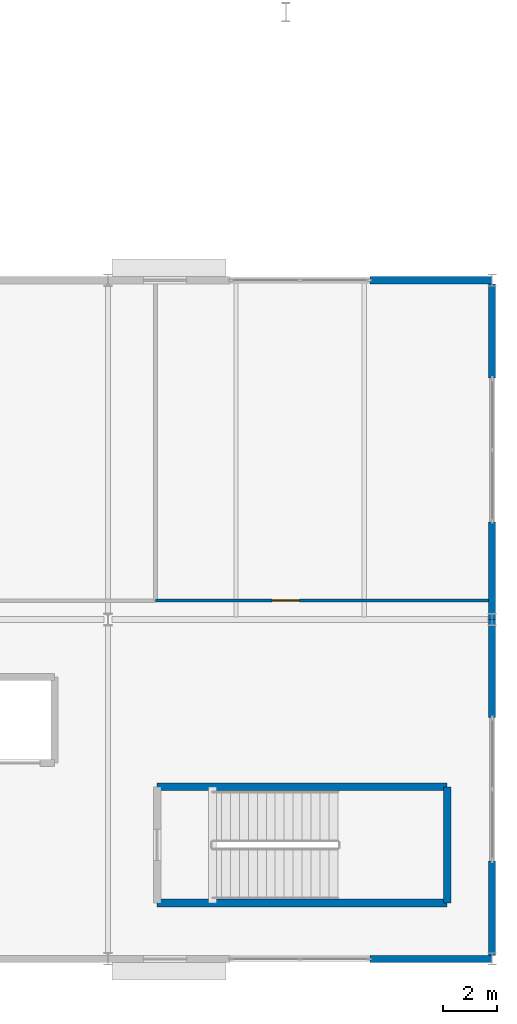
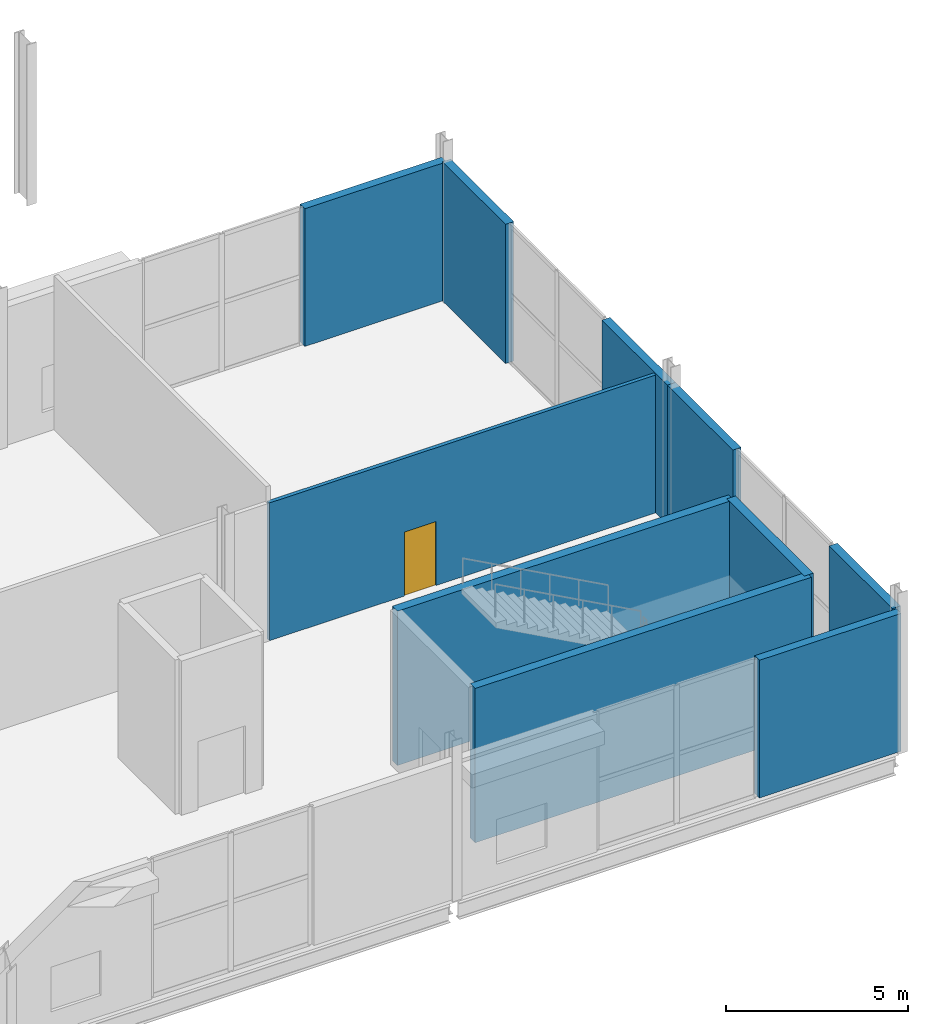
# One storey, part 67 of 84: 10 walls, 1 door, 1 opening.
"""IFC4 building model written with IfcOpenShell, lengths in metres."""

import ifcopenshell
import ifcopenshell.guid

model = None  # the IFC model being written
_history = None  # IfcOwnerHistory: only IFC2X3 demands one
_inside = {}  # id of a spatial element -> (the spatial element, [elements in it])
_under = {}  # id of a project, library or spatial element -> (it, [spatial elements below it])
_declared = {}  # id of a project -> (the project, [libraries it declares])
_typed = {}  # id of a type object -> (the type object, [elements of that type])
_made_of = {}  # id of a material, layer set ... -> (it, [elements and type objects made of it])


def new_model(schema):
    """Start an empty IFC model of exactly this schema.

    Asked for "IFC4X3", IfcOpenShell would pick the latest addendum, in which some entities
    have other attributes; the version numbers below select the first issue.
    IFC2X3 requires an IfcOwnerHistory on every rooted entity: one is made here for all.
    """
    global model, _history
    if schema == "IFC4X3":
        model = ifcopenshell.file(schema_version=(4, 3, 0, 0))
    else:
        model = ifcopenshell.file(schema=schema)
    _inside.clear()
    _under.clear()
    _declared.clear()
    _typed.clear()
    _made_of.clear()
    _history = None
    if model.schema == "IFC2X3":
        org = make("IfcOrganization", Name="unknown")
        user = make(
            "IfcPersonAndOrganization",
            ThePerson=make("IfcPerson", FamilyName="unknown"),
            TheOrganization=org,
        )
        app = make(
            "IfcApplication",
            ApplicationDeveloper=org,
            Version="unknown",
            ApplicationFullName="unknown",
            ApplicationIdentifier="unknown",
        )
        _history = make(
            "IfcOwnerHistory",
            OwningUser=user,
            OwningApplication=app,
            ChangeAction="ADDED",
            CreationDate=0,
        )
    return model


def make(cls, **values):
    """One entity of the class cls with the attributes given. An attribute that is None is left unset."""
    return model.create_entity(
        cls, **{name: value for name, value in values.items() if value is not None}
    )


def rooted(cls, **values):
    """An entity with a GlobalId (a new one), such as an element, a storey or a relation."""
    return make(cls, GlobalId=ifcopenshell.guid.new(), OwnerHistory=_history, **values)


def si_unit(unit_type, name, prefix=None):
    """IfcSIUnit, for example si_unit("LENGTHUNIT", "METRE", prefix="MILLI")."""
    return make("IfcSIUnit", UnitType=unit_type, Prefix=prefix, Name=name)


def assignment(units):
    """IfcUnitAssignment: the units of a project."""
    return None if units is None else make("IfcUnitAssignment", Units=units)


def point(xyz):
    """IfcCartesianPoint."""
    return None if xyz is None else make("IfcCartesianPoint", Coordinates=xyz)


def direction(xyz):
    """IfcDirection."""
    return None if xyz is None else make("IfcDirection", DirectionRatios=xyz)


def frame(location, z_axis=None, x_axis=None):
    """IfcAxis2Placement3D, a coordinate frame: its origin and axes. An axis left out is left unset."""
    return make(
        "IfcAxis2Placement3D",
        Location=point(location),
        Axis=direction(z_axis),
        RefDirection=direction(x_axis),
    )


def frame_2d(location, x_axis=None):
    """IfcAxis2Placement2D, a coordinate frame in the plane: its origin and x axis."""
    return make(
        "IfcAxis2Placement2D", Location=point(location), RefDirection=direction(x_axis)
    )


def origin():
    """The frame at (0, 0, 0) with its axes left unset."""
    return frame((0.0, 0.0, 0.0))


def place(relative_to, where):
    """IfcLocalPlacement: puts the frame where relative to a parent placement (None: the world)."""
    return make(
        "IfcLocalPlacement", PlacementRelTo=relative_to, RelativePlacement=where
    )


def context(
    kind, dimensions, precision=None, world=None, true_north=None, identifier=None
):
    """IfcGeometricRepresentationContext, for example the 3D "Model" context."""
    return make(
        "IfcGeometricRepresentationContext",
        ContextIdentifier=identifier,
        ContextType=kind,
        CoordinateSpaceDimension=dimensions,
        Precision=precision,
        WorldCoordinateSystem=world,
        TrueNorth=true_north,
    )


def subcontext(parent, identifier, kind, view, scale=None):
    """IfcGeometricRepresentationSubContext, for example "Body" below "Model"."""
    return make(
        "IfcGeometricRepresentationSubContext",
        ContextIdentifier=identifier,
        ContextType=kind,
        ParentContext=parent,
        TargetScale=scale,
        TargetView=view,
    )


def project(units=None, contexts=None):
    """IfcProject with its units and contexts."""
    return rooted(
        "IfcProject",
        Name="project",
        RepresentationContexts=contexts,
        UnitsInContext=assignment(units),
    )


def spatial(cls, under=None, at=None, **own):
    """A site, building, storey or space (cls), placed at a placement, below another one or the project."""
    s = rooted(cls, ObjectPlacement=at, **own)
    if under is not None:
        _under.setdefault(under.id(), (under, []))[1].append(s)
    return s


def profile(cls, at=None, kind="AREA", **sizes):
    """A parametric profile (cls). Its sizes go by their IFC names, for example OverallWidth=200.0."""
    return make(cls, ProfileType=kind, Position=at, **sizes)


def rectangle(**sizes):
    """IfcRectangleProfileDef."""
    return profile("IfcRectangleProfileDef", **sizes)


def extrude(swept, where, along, depth):
    """IfcExtrudedAreaSolid: the profile swept, set in the frame where, extruded along a direction by depth."""
    return make(
        "IfcExtrudedAreaSolid",
        SweptArea=swept,
        Position=where,
        ExtrudedDirection=direction(along),
        Depth=depth,
    )


def shape(context_of_items, identifier, shape_type, items):
    """IfcShapeRepresentation: the items that make up one representation, for example the "Body"."""
    return make(
        "IfcShapeRepresentation",
        ContextOfItems=context_of_items,
        RepresentationIdentifier=identifier,
        RepresentationType=shape_type,
        Items=items,
    )


def material(Name=None, Category=None):
    """IfcMaterial."""
    return make("IfcMaterial", Name=Name, Category=Category)


def layer(
    of_material, thickness, ventilated=None, Name=None, Category=None, Priority=None
):
    """IfcMaterialLayer: one layer of a wall or slab, of a material (None: an air gap)."""
    return make(
        "IfcMaterialLayer",
        Material=of_material,
        LayerThickness=thickness,
        IsVentilated=ventilated,
        Name=Name,
        Category=Category,
        Priority=Priority,
    )


def layer_set(layers, Name=None):
    """IfcMaterialLayerSet."""
    return make("IfcMaterialLayerSet", MaterialLayers=layers, LayerSetName=Name)


def made_of(thing, what):
    """Note that an element or type object is made of a material, layer set ...; save() writes the relation."""
    if what is not None:
        _made_of.setdefault(what.id(), (what, []))[1].append(thing)
    return thing


def type_object(cls, material=None, **own):
    """A type object (cls), such as IfcWallType, which elements share."""
    return made_of(rooted(cls, **own), material)


def element(
    cls,
    number,
    at=None,
    inside=None,
    cuts=None,
    type_object=None,
    material=None,
    context=None,
    identifier="Body",
    shape_type=None,
    held_by="IfcProductDefinitionShape",
    body=None,
    shapes=None,
    **own,
):
    """One element of the class cls, such as IfcWall. Its Tag is "e" and its number.

    at: its placement. inside: the storey or other place that contains it. cuts: it is an
    opening in that element (IfcRelVoidsElement). A single representation is given by context,
    identifier, shape_type and body (its items); several are given by shapes. held_by: the class
    of the entity that holds the representations. save() writes the other relations.
    """
    e = rooted(cls, Tag="e%d" % number, ObjectPlacement=at, **own)
    if body is not None:
        shapes = [shape(context, identifier, shape_type, body)]
    if shapes is not None:
        e.Representation = make(held_by, Representations=shapes)
    if inside is not None:
        _inside.setdefault(inside.id(), (inside, []))[1].append(e)
    if cuts is not None:
        rooted(
            "IfcRelVoidsElement", RelatingBuildingElement=cuts, RelatedOpeningElement=e
        )
    if type_object is not None:
        _typed.setdefault(type_object.id(), (type_object, []))[1].append(e)
    return made_of(e, material)


def fill(opening, filler):
    """IfcRelFillsElement: the door or window that sits in an opening."""
    return rooted(
        "IfcRelFillsElement",
        RelatingOpeningElement=opening,
        RelatedBuildingElement=filler,
    )


def aggregate(whole, parts):
    """IfcRelAggregates: a whole, such as a stair, and the parts it consists of."""
    return rooted("IfcRelAggregates", RelatingObject=whole, RelatedObjects=parts)


def save(model, path):
    """Write the relations noted so far, then the file.

    IfcRelAggregates (storeys below a building ...), IfcRelContainedInSpatialStructure (elements
    in a storey), IfcRelDefinesByType, IfcRelAssociatesMaterial and IfcRelDeclares: one each for
    every whole, place, type object, material and project.
    """
    for whole, parts in _under.values():
        aggregate(whole, parts)
    for where, things in _inside.values():
        rooted(
            "IfcRelContainedInSpatialStructure",
            RelatedElements=things,
            RelatingStructure=where,
        )
    for kind, things in _typed.values():
        rooted("IfcRelDefinesByType", RelatedObjects=things, RelatingType=kind)
    for what, things in _made_of.values():
        rooted("IfcRelAssociatesMaterial", RelatedObjects=things, RelatingMaterial=what)
    for by, libraries in _declared.values():
        rooted("IfcRelDeclares", RelatingContext=by, RelatedDefinitions=libraries)
    model.write(path)


model = new_model("IFC4")

# Units and contexts
model_context = context("Model", 3, precision=1e-05, world=origin(), true_north=direction((0.0, 1.0)))
body_context = subcontext(model_context, "Body", "Model", "MODEL_VIEW")
ifc_project = project(units=[si_unit("LENGTHUNIT", "METRE"), si_unit("AREAUNIT", "SQUARE_METRE"), si_unit("VOLUMEUNIT", "CUBIC_METRE"), si_unit("PLANEANGLEUNIT", "RADIAN"), si_unit("MASSUNIT", "GRAM", prefix="KILO")], contexts=[model_context])

# Site, building, storey
site_placement = place(None, origin())
site = spatial("IfcSite", under=ifc_project, at=site_placement, CompositionType="ELEMENT")
building_placement = place(site_placement, origin())
building = spatial("IfcBuilding", under=site, at=building_placement, Name="Kimbaza Rail Terminus", CompositionType="ELEMENT")
storey_placement = place(building_placement, frame((0.0, 0.0, 5.39990234375)))
storey = spatial("IfcBuildingStorey", under=building, at=storey_placement, Name="L01", CompositionType="ELEMENT", Elevation=5.39990234375)

# Walls
ifc_material_1 = material(Name="Concrete blockwork C30/37", Category="masonry")
ifc_layer_1 = layer(ifc_material_1, 0.260009765625)
ifc_layer_set_1 = layer_set([ifc_layer_1], Name="Concrete blockwork C30/37")
wall_type_1 = type_object("IfcWallType", Name="ARC-WL-EXT260", PredefinedType="STANDARD", material=ifc_layer_set_1)
for number, where, z_axis, x_axis, name in (
    (1, (209.5, 38.0, 0.0), (0.0, 0.0, 1.0), (1.0, 0.0, 0.0), "Pavilion N Wall L01.3B"),
    (2, (209.5, 13.0, 0.0), (0.0, 0.0, 1.0), (1.0, 0.0, 0.0), "Pavilion S Wall L01.3B"),
):
    element("IfcWall", number, at=place(storey_placement, frame(where, z_axis=z_axis, x_axis=x_axis)), inside=storey, type_object=wall_type_1, Name=name, PredefinedType="STANDARD", context=body_context, shape_type="SweptSolid", body=[
        extrude(rectangle(XDim=4.5, YDim=0.260009765625, at=frame_2d((2.25, 0.0))), origin(), (0.0, 0.0, 1.0), 4.625),
    ])
wall_1_placement = place(storey_placement, frame((214.0, 13.1298828125, 0.0), z_axis=(0.0, 0.0, 1.0), x_axis=(0.0, 1.0, 0.0)))
element("IfcWall", 3, at=wall_1_placement, inside=storey, type_object=wall_type_1, Name="Pavilion E Pier L01.0", PredefinedType="STANDARD", context=body_context, shape_type="SweptSolid", body=[
    extrude(rectangle(XDim=3.47021484375, YDim=0.260009765625, at=frame_2d((1.735107421875, 0.0))), origin(), (0.0, 0.0, 1.0), 4.675048828125),
])
for number, where, z_axis, x_axis, name in (
    (4, (214.0, 21.89990234375, 0.0), (0.0, 0.0, 1.0), (0.0, 1.0, 0.0), "Pavilion E Corner L01.0"),
    (5, (214.0, 25.5, 0.0), (0.0, 0.0, 1.0), (0.0, 1.0, 0.0), "Pavilion E Pier L01.1"),
):
    element("IfcWall", number, at=place(storey_placement, frame(where, z_axis=z_axis, x_axis=x_axis)), inside=storey, type_object=wall_type_1, Name=name, PredefinedType="STANDARD", context=body_context, shape_type="SweptSolid", body=[
        extrude(rectangle(XDim=3.60009765625, YDim=0.260009765625, at=frame_2d((1.800048828125, 0.0))), origin(), (0.0, 0.0, 1.0), 4.675048828125),
    ])
wall_2_placement = place(storey_placement, frame((214.0, 34.39990234375, 0.0), z_axis=(0.0, 0.0, 1.0), x_axis=(0.0, 1.0, 0.0)))
element("IfcWall", 6, at=wall_2_placement, inside=storey, type_object=wall_type_1, Name="Pavilion E Corner L01.1", PredefinedType="STANDARD", context=body_context, shape_type="SweptSolid", body=[
    extrude(rectangle(XDim=3.47021484375, YDim=0.260009765625, at=frame_2d((1.735107421875, 0.0))), origin(), (0.0, 0.0, 1.0), 4.675048828125),
])

# Wall, opening, door
ifc_material_2 = material(Name="Moisture-resistant stud wall", Category="gypsum")
ifc_layer_2 = layer(ifc_material_2, 0.1201171875)
ifc_layer_set_2 = layer_set([ifc_layer_2], Name="Moisture-resistant stud wall")
wall_type_2 = type_object("IfcWallType", Name="ARC-WL-PART120", PredefinedType="PARTITIONING", material=ifc_layer_set_2)
wall_3_placement = place(storey_placement, frame((201.60009765625, 26.199951171875, 0.0), z_axis=(0.0, 0.0, 1.0), x_axis=(1.0, 0.0, 0.0)))
wall_3 = element("IfcWall", 7, at=wall_3_placement, inside=storey, type_object=wall_type_2, Name="Cold Room and Dry Goods Store Partition (south)", PredefinedType="PARTITIONING", context=body_context, shape_type="SweptSolid", body=[
    extrude(rectangle(XDim=12.27001953125, YDim=0.1201171875, at=frame_2d((6.135009765625, 0.0))), origin(), (0.0, 0.0, 1.0), 4.625),
])
opening_placement = place(wall_3_placement, frame((4.300048828125, 0.0, 0.0)))
opening = element("IfcOpeningElement", 8, at=opening_placement, cuts=wall_3, Name="Opening ID-05", PredefinedType="OPENING", context=body_context, shape_type="SweptSolid", body=[
    extrude(rectangle(XDim=1.0, YDim=2.14990234375, at=frame_2d((0.5, 1.074951171875))), frame((0.0, 0.070068359375, 0.0), z_axis=(0.0, -1.0, 0.0), x_axis=(1.0, 0.0, 0.0)), (0.0, 0.0, 1.0), 0.14013671875),
])
ifc_material_3 = material(Name="Hardwood veneer staff room door", Category="wood")
door_type = type_object("IfcDoorType", Name="ARC-DR-ID100", OperationType="NOTDEFINED", PredefinedType="DOOR", material=ifc_material_3)
door_placement = place(opening_placement, origin())
door = element("IfcDoor", 9, at=door_placement, inside=storey, type_object=door_type, Name="IDR-SPC-V4-L01-STR", OperationType="SINGLE_SWING_LEFT", OverallHeight=2.14990234375, OverallWidth=1.0, PredefinedType="DOOR", context=body_context, shape_type="SweptSolid", body=[
    extrude(rectangle(XDim=1.0, YDim=2.14990234375, at=frame_2d((0.5, 1.074951171875))), frame((0.0, 0.02490234375, 0.0), z_axis=(0.0, -1.0, 0.0), x_axis=(1.0, 0.0, 0.0)), (0.0, 0.0, 1.0), 0.050048828125),
])
fill(opening, door)

# Walls
ifc_material_4 = material(Name="Concrete C40/50", Category="concrete")
ifc_layer_3 = layer(ifc_material_4, 0.280029296875)
ifc_layer_set_3 = layer_set([ifc_layer_3], Name="Concrete C40/50")
wall_type_3 = type_object("IfcWallType", Name="STR-WL-CORE280", PredefinedType="SHEAR", material=ifc_layer_set_3)
wall_4_placement = place(storey_placement, frame((201.659912109375, 15.06005859375, 0.0), z_axis=(0.0, 0.0, 1.0), x_axis=(1.0, 0.0, 0.0)))
element("IfcWall", 10, at=wall_4_placement, inside=storey, type_object=wall_type_3, Name="Retail Pavilion East Stair Shaft Wall L01-1", PredefinedType="SHEAR", context=body_context, shape_type="SweptSolid", body=[
    extrude(rectangle(XDim=10.68017578125, YDim=0.280029296875, at=frame_2d((5.340087890625, 0.0))), origin(), (0.0, 0.0, 1.0), 5.18017578125),
])
wall_5_placement = place(storey_placement, frame((212.340087890625, 15.06005859375, 0.0), z_axis=(0.0, 0.0, 1.0), x_axis=(0.0, 1.0, 0.0)))
element("IfcWall", 11, at=wall_5_placement, inside=storey, type_object=wall_type_3, Name="Retail Pavilion East Stair Shaft Wall L01-2", PredefinedType="SHEAR", context=body_context, shape_type="SweptSolid", body=[
    extrude(rectangle(XDim=4.280029296875, YDim=0.280029296875, at=frame_2d((2.14013671875, 0.0))), origin(), (0.0, 0.0, 1.0), 5.18017578125),
])
wall_6_placement = place(storey_placement, frame((212.340087890625, 19.340087890625, 0.0), z_axis=(0.0, 0.0, 1.0), x_axis=(-1.0, 0.0, 0.0)))
element("IfcWall", 12, at=wall_6_placement, inside=storey, type_object=wall_type_3, Name="Retail Pavilion East Stair Shaft Wall L01-3", PredefinedType="SHEAR", context=body_context, shape_type="SweptSolid", body=[
    extrude(rectangle(XDim=10.68017578125, YDim=0.280029296875, at=frame_2d((5.340087890625, 0.0))), origin(), (0.0, 0.0, 1.0), 5.18017578125),
])

save(model, "model.ifc")
